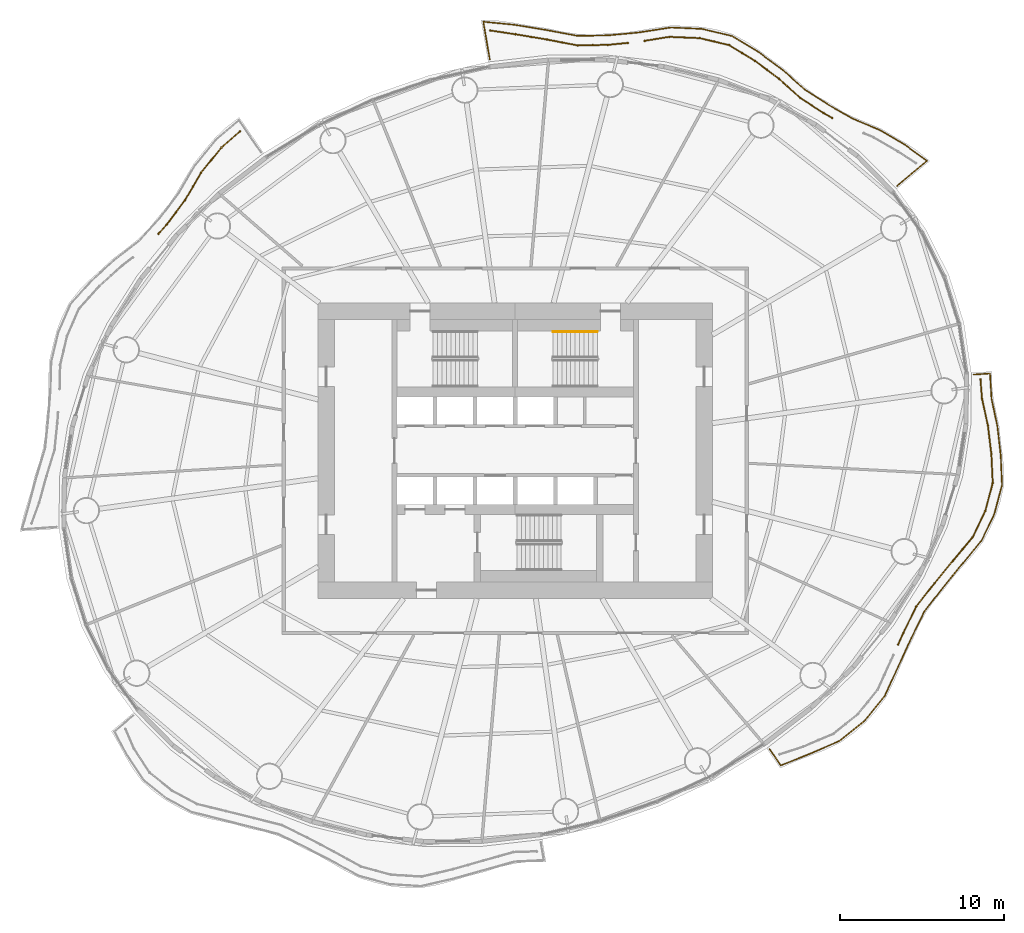
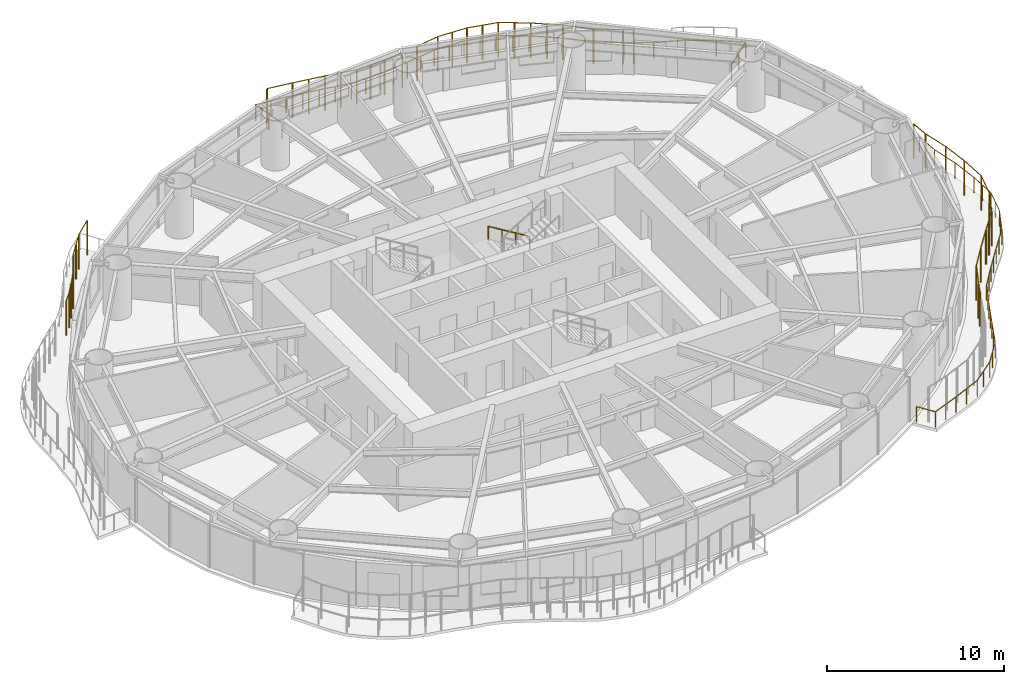
# One storey, part 14 of 15: 7 railings.
"""IFC4 building model written with IfcOpenShell, lengths in metres."""

from ifc_helpers import new_model, si_unit, direction, frame, origin, origin_2d, place, context, subcontext, project, spatial, circle, extrude, material, type_object, element, save


model = new_model("IFC4")

# Units and contexts
model_context = context("Model", 3, precision=1e-05, world=origin(), true_north=direction((0.0, 1.0)))
body_context = subcontext(model_context, "Body", "Model", "MODEL_VIEW")
ifc_project = project(units=[si_unit("LENGTHUNIT", "METRE"), si_unit("AREAUNIT", "SQUARE_METRE"), si_unit("VOLUMEUNIT", "CUBIC_METRE"), si_unit("PLANEANGLEUNIT", "RADIAN"), si_unit("MASSUNIT", "GRAM", prefix="KILO")], contexts=[model_context])

# Site, building, storey
site_placement = place(None, origin())
site = spatial("IfcSite", under=ifc_project, at=site_placement, CompositionType="ELEMENT")
building_placement = place(site_placement, origin())
building = spatial("IfcBuilding", under=site, at=building_placement, Name="Vermilion Reach Broadcast Tower", CompositionType="ELEMENT")
storey_placement = place(building_placement, frame((0.0, 0.0, 121.0)))
storey = spatial("IfcBuildingStorey", under=building, at=storey_placement, Name="L28", CompositionType="ELEMENT", Elevation=121.0)

# Railings
ifc_material_1 = material(Name="Terracotta baguette", Category="masonry")
railing_type_1 = type_object("IfcRailingType", Name="BAGUETTE SCREEN", PredefinedType="USERDEFINED", material=ifc_material_1)
railing_1_placement = place(storey_placement, frame((13.292236328125, 20.26708984375, 0.0)))
element("IfcRailing", 1, at=railing_1_placement, inside=storey, type_object=railing_type_1, Name="Baguette screen L28 group 1 part 2", ObjectType="BAGUETTE SCREEN", PredefinedType="USERDEFINED", context=body_context, shape_type="SweptSolid", body=[
    extrude(circle(Radius=0.030029296875, at=origin_2d()), frame((0.0, 0.0, 2.369873046875), z_axis=(-0.869886643613, 0.493251687543, 0.0), x_axis=(-0.493251687543, -0.869886643613, 0.0)), (0.0, 0.0, 1.0), 0.592529296875),
    extrude(circle(Radius=0.030029296875, at=origin_2d()), frame((-0.515380859375, 0.292236328125, 2.369873046875), z_axis=(-0.841202056522, 0.540720907773, 0.0), x_axis=(-0.540720907773, -0.841202056522, 0.0)), (0.0, 0.0, 1.0), 1.681884765625),
    extrude(circle(Radius=0.030029296875, at=origin_2d()), frame((-1.93017578125, 1.20166015625, 2.369873046875), z_axis=(-0.743349393525, 0.66890334066, 0.0), x_axis=(-0.66890334066, -0.743349393525, 0.0)), (0.0, 0.0, 1.0), 1.7578125),
    extrude(circle(Radius=0.030029296875, at=origin_2d()), frame((-3.23681640625, 2.37744140625, 2.369873046875), z_axis=(-0.800706422893, 0.599056945823, 0.0), x_axis=(-0.599056945823, -0.800706422893, 0.0)), (0.0, 0.0, 1.0), 1.8232421875),
    extrude(circle(Radius=0.030029296875, at=origin_2d()), frame((-4.69677734375, 3.4697265625, 2.369873046875), z_axis=(-0.853058057112, 0.521816012783, 0.0), x_axis=(-0.521816012783, -0.853058057112, 0.0)), (0.0, 0.0, 1.0), 1.83447265625),
    extrude(circle(Radius=0.030029296875, at=origin_2d()), frame((-6.26171875, 4.427001953125, 2.369873046875), z_axis=(-0.973370362516, 0.229238167363, 0.0), x_axis=(-0.229238167363, -0.973370362516, 0.0)), (0.0, 0.0, 1.0), 1.847900390625),
    extrude(circle(Radius=0.030029296875, at=origin_2d()), frame((-8.060302734375, 4.8505859375, 2.369873046875), z_axis=(-0.99905541285, 0.043454367502, 0.0), x_axis=(-0.043454367502, -0.99905541285, 0.0)), (0.0, 0.0, 1.0), 1.85400390625),
    extrude(circle(Radius=0.030029296875, at=origin_2d()), frame((-9.91259765625, 4.93115234375, 2.369873046875), z_axis=(-0.987130299465, -0.159918016114, 0.0), x_axis=(0.159918016114, -0.987130299465, 0.0)), (0.0, 0.0, 1.0), 1.511474609375),
    extrude(circle(Radius=0.050048828125, at=origin_2d()), origin(), (0.0, 0.0, 1.0), 2.33984375),
    extrude(circle(Radius=0.050048828125, at=origin_2d()), frame((-0.515380859375, 0.292236328125, 0.0)), (0.0, 0.0, 1.0), 2.33984375),
    extrude(circle(Radius=0.050048828125, at=origin_2d()), frame((-1.93017578125, 1.20166015625, 0.0)), (0.0, 0.0, 1.0), 2.33984375),
    extrude(circle(Radius=0.050048828125, at=origin_2d()), frame((-3.23681640625, 2.37744140625, 0.0)), (0.0, 0.0, 1.0), 2.33984375),
    extrude(circle(Radius=0.050048828125, at=origin_2d()), frame((-3.966796875, 2.923583984375, 0.0)), (0.0, 0.0, 1.0), 2.33984375),
    extrude(circle(Radius=0.050048828125, at=origin_2d()), frame((-4.69677734375, 3.4697265625, 0.0)), (0.0, 0.0, 1.0), 2.33984375),
    extrude(circle(Radius=0.050048828125, at=origin_2d()), frame((-5.479248046875, 3.9482421875, 0.0)), (0.0, 0.0, 1.0), 2.33984375),
    extrude(circle(Radius=0.050048828125, at=origin_2d()), frame((-6.26171875, 4.427001953125, 0.0)), (0.0, 0.0, 1.0), 2.33984375),
    extrude(circle(Radius=0.050048828125, at=origin_2d()), frame((-7.1611328125, 4.638671875, 0.0)), (0.0, 0.0, 1.0), 2.33984375),
    extrude(circle(Radius=0.050048828125, at=origin_2d()), frame((-8.060302734375, 4.8505859375, 0.0)), (0.0, 0.0, 1.0), 2.33984375),
    extrude(circle(Radius=0.050048828125, at=origin_2d()), frame((-8.986328125, 4.890869140625, 0.0)), (0.0, 0.0, 1.0), 2.33984375),
    extrude(circle(Radius=0.050048828125, at=origin_2d()), frame((-9.91259765625, 4.93115234375, 0.0)), (0.0, 0.0, 1.0), 2.33984375),
    extrude(circle(Radius=0.050048828125, at=origin_2d()), frame((-11.404541015625, 4.689453125, 0.0)), (0.0, 0.0, 1.0), 2.33984375),
])
railing_2_placement = place(storey_placement, frame((0.859619140625, 24.82958984375, 0.0)))
element("IfcRailing", 2, at=railing_2_placement, inside=storey, type_object=railing_type_1, Name="Baguette screen L28 group 1 part 3", ObjectType="BAGUETTE SCREEN", PredefinedType="USERDEFINED", context=body_context, shape_type="SweptSolid", body=[
    extrude(circle(Radius=0.030029296875, at=origin_2d()), frame((0.0, 0.0, 2.369873046875), z_axis=(-0.995277908547, -0.097066393554, 0.0), x_axis=(0.097066393554, -0.995277908547, 0.0)), (0.0, 0.0, 1.0), 1.22998046875),
    extrude(circle(Radius=0.030029296875, at=origin_2d()), frame((-1.22412109375, -0.119384765625, 2.369873046875), z_axis=(-0.999824777942, -0.018719332584, 0.0), x_axis=(0.018719332584, -0.999824777942, 0.0)), (0.0, 0.0, 1.0), 1.8388671875),
    extrude(circle(Radius=0.030029296875, at=origin_2d()), frame((-3.062744140625, -0.15380859375, 2.369873046875), z_axis=(-0.982109478579, 0.188310839002, 0.0), x_axis=(-0.188310839002, -0.982109478579, 0.0)), (0.0, 0.0, 1.0), 1.890380859375),
    extrude(circle(Radius=0.030029296875, at=origin_2d()), frame((-4.919189453125, 0.2021484375, 2.369873046875), z_axis=(-0.98620149676, 0.165549411926, 0.0), x_axis=(-0.165549411926, -0.98620149676, 0.0)), (0.0, 0.0, 1.0), 1.96142578125),
    extrude(circle(Radius=0.030029296875, at=origin_2d()), frame((-6.853515625, 0.52685546875, 2.369873046875), z_axis=(-0.988971256756, 0.148107573443, 0.0), x_axis=(-0.148107573443, -0.988971256756, 0.0)), (0.0, 0.0, 1.0), 1.537841796875),
    extrude(circle(Radius=0.050048828125, at=origin_2d()), origin(), (0.0, 0.0, 1.0), 2.33984375),
    extrude(circle(Radius=0.050048828125, at=origin_2d()), frame((-1.22412109375, -0.119384765625, 0.0)), (0.0, 0.0, 1.0), 2.33984375),
    extrude(circle(Radius=0.050048828125, at=origin_2d()), frame((-2.1435546875, -0.13671875, 0.0)), (0.0, 0.0, 1.0), 2.33984375),
    extrude(circle(Radius=0.050048828125, at=origin_2d()), frame((-3.062744140625, -0.15380859375, 0.0)), (0.0, 0.0, 1.0), 2.33984375),
    extrude(circle(Radius=0.050048828125, at=origin_2d()), frame((-3.990966796875, 0.024169921875, 0.0)), (0.0, 0.0, 1.0), 2.33984375),
    extrude(circle(Radius=0.050048828125, at=origin_2d()), frame((-4.919189453125, 0.2021484375, 0.0)), (0.0, 0.0, 1.0), 2.33984375),
    extrude(circle(Radius=0.050048828125, at=origin_2d()), frame((-5.88623046875, 0.364501953125, 0.0)), (0.0, 0.0, 1.0), 2.33984375),
    extrude(circle(Radius=0.050048828125, at=origin_2d()), frame((-6.853515625, 0.52685546875, 0.0)), (0.0, 0.0, 1.0), 2.33984375),
    extrude(circle(Radius=0.050048828125, at=origin_2d()), frame((-8.37451171875, 0.754638671875, 0.0)), (0.0, 0.0, 1.0), 2.33984375),
])
railing_3_placement = place(storey_placement, frame((-22.76171875, 19.445556640625, 0.0)))
element("IfcRailing", 3, at=railing_3_placement, inside=storey, type_object=railing_type_1, Name="Baguette screen L28 group 2 part 1", ObjectType="BAGUETTE SCREEN", PredefinedType="USERDEFINED", context=body_context, shape_type="SweptSolid", body=[
    extrude(circle(Radius=0.030029296875, at=origin_2d()), frame((0.0, 0.0, 2.369873046875), z_axis=(-0.750940906544, -0.660369407892, 0.0), x_axis=(0.660369407892, -0.750940906544, 0.0)), (0.0, 0.0, 1.0), 1.49072265625),
    extrude(circle(Radius=0.030029296875, at=origin_2d()), frame((-1.119384765625, -0.984375, 2.369873046875), z_axis=(-0.630897081938, -0.77586652976, 0.0), x_axis=(0.77586652976, -0.630897081938, 0.0)), (0.0, 0.0, 1.0), 1.9619140625),
    extrude(circle(Radius=0.030029296875, at=origin_2d()), frame((-2.357177734375, -2.506591796875, 2.369873046875), z_axis=(-0.503979825461, -0.863715425084, 0.0), x_axis=(0.863715425084, -0.503979825461, 0.0)), (0.0, 0.0, 1.0), 1.953125),
    extrude(circle(Radius=0.030029296875, at=origin_2d()), frame((-3.341552734375, -4.193603515625, 2.369873046875), z_axis=(-0.598423001868, -0.801180323545, 0.0), x_axis=(0.801180323545, -0.598423001868, 0.0)), (0.0, 0.0, 1.0), 1.859130859375),
    extrude(circle(Radius=0.030029296875, at=origin_2d()), frame((-4.4541015625, -5.68310546875, 2.369873046875), z_axis=(-0.673806134446, -0.738908176422, 0.0), x_axis=(0.738908176422, -0.673806134446, 0.0)), (0.0, 0.0, 1.0), 0.75),
    extrude(circle(Radius=0.050048828125, at=origin_2d()), origin(), (0.0, 0.0, 1.0), 2.33984375),
    extrude(circle(Radius=0.050048828125, at=origin_2d()), frame((-1.119384765625, -0.984375, 0.0)), (0.0, 0.0, 1.0), 2.33984375),
    extrude(circle(Radius=0.050048828125, at=origin_2d()), frame((-1.73828125, -1.74560546875, 0.0)), (0.0, 0.0, 1.0), 2.33984375),
    extrude(circle(Radius=0.050048828125, at=origin_2d()), frame((-2.357177734375, -2.506591796875, 0.0)), (0.0, 0.0, 1.0), 2.33984375),
    extrude(circle(Radius=0.050048828125, at=origin_2d()), frame((-2.849365234375, -3.35009765625, 0.0)), (0.0, 0.0, 1.0), 2.33984375),
    extrude(circle(Radius=0.050048828125, at=origin_2d()), frame((-3.341552734375, -4.193603515625, 0.0)), (0.0, 0.0, 1.0), 2.33984375),
    extrude(circle(Radius=0.050048828125, at=origin_2d()), frame((-3.89794921875, -4.9384765625, 0.0)), (0.0, 0.0, 1.0), 2.33984375),
    extrude(circle(Radius=0.050048828125, at=origin_2d()), frame((-4.4541015625, -5.68310546875, 0.0)), (0.0, 0.0, 1.0), 2.33984375),
    extrude(circle(Radius=0.050048828125, at=origin_2d()), frame((-4.95947265625, -6.2373046875, 0.0)), (0.0, 0.0, 1.0), 2.33984375),
])
railing_4_placement = place(storey_placement, frame((17.3134765625, -11.797119140625, 0.0)))
element("IfcRailing", 4, at=railing_4_placement, inside=storey, type_object=railing_type_1, Name="Baguette screen L28 group 4 part 2", ObjectType="BAGUETTE SCREEN", PredefinedType="USERDEFINED", context=body_context, shape_type="SweptSolid", body=[
    extrude(circle(Radius=0.030029296875, at=origin_2d()), frame((0.0, 0.0, 2.369873046875), z_axis=(0.413452907409, 0.910525503956, 0.0), x_axis=(-0.910525503956, 0.413452907409, 0.0)), (0.0, 0.0, 1.0), 0.788330078125),
    extrude(circle(Radius=0.030029296875, at=origin_2d()), frame((0.325927734375, 0.7177734375, 2.369873046875), z_axis=(0.437043358157, 0.899440438879, 0.0), x_axis=(-0.899440438879, 0.437043358157, 0.0)), (0.0, 0.0, 1.0), 1.781494140625),
    extrude(circle(Radius=0.030029296875, at=origin_2d()), frame((1.1044921875, 2.320068359375, 2.369873046875), z_axis=(0.618275230307, 0.785961665471, 0.0), x_axis=(-0.785961665471, 0.618275230307, 0.0)), (0.0, 0.0, 1.0), 1.781982421875),
    extrude(circle(Radius=0.030029296875, at=origin_2d()), frame((2.206298828125, 3.720703125, 2.369873046875), z_axis=(0.634762746695, 0.772707095482, 0.0), x_axis=(-0.772707095482, 0.634762746695, 0.0)), (0.0, 0.0, 1.0), 1.785888671875),
    extrude(circle(Radius=0.030029296875, at=origin_2d()), frame((3.33984375, 5.1005859375, 2.369873046875), z_axis=(0.642674442454, 0.766139387459, 0.0), x_axis=(-0.766139387459, 0.642674442454, 0.0)), (0.0, 0.0, 1.0), 1.858642578125),
    extrude(circle(Radius=0.030029296875, at=origin_2d()), frame((4.534423828125, 6.524658203125, 2.369873046875), z_axis=(0.433819763534, 0.900999674121, 0.0), x_axis=(-0.900999674121, 0.433819763534, 0.0)), (0.0, 0.0, 1.0), 1.77099609375),
    extrude(circle(Radius=0.030029296875, at=origin_2d()), frame((5.302734375, 8.120361328125, 2.369873046875), z_axis=(0.258125566, 0.966111376694, 0.0), x_axis=(-0.966111376694, 0.258125566, 0.0)), (0.0, 0.0, 1.0), 1.7724609375),
    extrude(circle(Radius=0.030029296875, at=origin_2d()), frame((5.76025390625, 9.832763671875, 2.369873046875), z_axis=(-0.048601606547, 0.998818243646, 0.0), x_axis=(-0.998818243646, -0.048601606547, 0.0)), (0.0, 0.0, 1.0), 1.768310546875),
    extrude(circle(Radius=0.030029296875, at=origin_2d()), frame((5.67431640625, 11.598876953125, 2.369873046875), z_axis=(-0.120272758934, 0.992740884349, 0.0), x_axis=(-0.992740884349, -0.120272758934, 0.0)), (0.0, 0.0, 1.0), 1.74169921875),
    extrude(circle(Radius=0.030029296875, at=origin_2d()), frame((5.46484375, 13.327880859375, 2.369873046875), z_axis=(-0.213489258509, 0.976945411219, 0.0), x_axis=(-0.976945411219, -0.213489258509, 0.0)), (0.0, 0.0, 1.0), 1.683349609375),
    extrude(circle(Radius=0.030029296875, at=origin_2d()), frame((5.10546875, 14.972412109375, 2.369873046875), z_axis=(-0.080855341557, 0.996725846831, 0.0), x_axis=(-0.996725846831, -0.080855341557, 0.0)), (0.0, 0.0, 1.0), 1.16259765625),
    extrude(circle(Radius=0.050048828125, at=origin_2d()), origin(), (0.0, 0.0, 1.0), 2.33984375),
    extrude(circle(Radius=0.050048828125, at=origin_2d()), frame((0.325927734375, 0.7177734375, 0.0)), (0.0, 0.0, 1.0), 2.33984375),
    extrude(circle(Radius=0.050048828125, at=origin_2d()), frame((1.1044921875, 2.320068359375, 0.0)), (0.0, 0.0, 1.0), 2.33984375),
    extrude(circle(Radius=0.050048828125, at=origin_2d()), frame((2.206298828125, 3.720703125, 0.0)), (0.0, 0.0, 1.0), 2.33984375),
    extrude(circle(Radius=0.050048828125, at=origin_2d()), frame((3.33984375, 5.1005859375, 0.0)), (0.0, 0.0, 1.0), 2.33984375),
    extrude(circle(Radius=0.050048828125, at=origin_2d()), frame((3.93701171875, 5.8125, 0.0)), (0.0, 0.0, 1.0), 2.33984375),
    extrude(circle(Radius=0.050048828125, at=origin_2d()), frame((4.534423828125, 6.524658203125, 0.0)), (0.0, 0.0, 1.0), 2.33984375),
    extrude(circle(Radius=0.050048828125, at=origin_2d()), frame((5.302734375, 8.120361328125, 0.0)), (0.0, 0.0, 1.0), 2.33984375),
    extrude(circle(Radius=0.050048828125, at=origin_2d()), frame((5.76025390625, 9.832763671875, 0.0)), (0.0, 0.0, 1.0), 2.33984375),
    extrude(circle(Radius=0.050048828125, at=origin_2d()), frame((5.67431640625, 11.598876953125, 0.0)), (0.0, 0.0, 1.0), 2.33984375),
    extrude(circle(Radius=0.050048828125, at=origin_2d()), frame((5.46484375, 13.327880859375, 0.0)), (0.0, 0.0, 1.0), 2.33984375),
    extrude(circle(Radius=0.050048828125, at=origin_2d()), frame((5.10546875, 14.972412109375, 0.0)), (0.0, 0.0, 1.0), 2.33984375),
    extrude(circle(Radius=0.050048828125, at=origin_2d()), frame((5.011474609375, 16.131103515625, 0.0)), (0.0, 0.0, 1.0), 2.33984375),
])
ifc_material_2 = material(Name="Stainless steel 316 balustrade", Category="steel")
railing_type_2 = type_object("IfcRailingType", Name="Balcony guard 1100", PredefinedType="BALUSTRADE", material=ifc_material_2)
railing_5_placement = place(storey_placement, frame((17.259033203125, 16.125244140625, 0.0)))
element("IfcRailing", 5, at=railing_5_placement, inside=storey, type_object=railing_type_2, Name="Balcony guard L28 group 1", PredefinedType="BALUSTRADE", context=body_context, shape_type="SweptSolid", body=[
    extrude(circle(Radius=0.02490234375, at=origin_2d()), frame((0.0, 0.0, 1.0751953125), z_axis=(0.764310583291, 0.644848301749, 0.0), x_axis=(-0.644848301749, 0.764310583291, 0.0)), (0.0, 0.0, 1.0), 2.362548828125),
    extrude(circle(Radius=0.02490234375, at=origin_2d()), frame((1.8056640625, 1.5234375, 1.0751953125), z_axis=(-0.808144542428, 0.588984209078, 0.0), x_axis=(-0.588984209078, -0.808144542428, 0.0)), (0.0, 0.0, 1.0), 1.660888671875),
    extrude(circle(Radius=0.02490234375, at=origin_2d()), frame((0.46337890625, 2.501708984375, 1.0751953125), z_axis=(-0.861161590175, 0.508331304964, 0.0), x_axis=(-0.508331304964, -0.861161590175, 0.0)), (0.0, 0.0, 1.0), 1.7568359375),
    extrude(circle(Radius=0.02490234375, at=origin_2d()), frame((-1.049560546875, 3.394775390625, 1.0751953125), z_axis=(-0.922663892883, 0.385605161752, 0.0), x_axis=(-0.385605161752, -0.922663892883, 0.0)), (0.0, 0.0, 1.0), 1.7861328125),
    extrude(circle(Radius=0.02490234375, at=origin_2d()), frame((-2.697509765625, 4.08349609375, 1.0751953125), z_axis=(-0.86878409638, 0.495191068051, 0.0), x_axis=(-0.495191068051, -0.86878409638, 0.0)), (0.0, 0.0, 1.0), 1.692626953125),
    extrude(circle(Radius=0.02490234375, at=origin_2d()), frame((-4.16796875, 4.921630859375, 1.0751953125), z_axis=(-0.841666135311, 0.539998256174, 0.0), x_axis=(-0.539998256174, -0.841666135311, 0.0)), (0.0, 0.0, 1.0), 1.722900390625),
    extrude(circle(Radius=0.02490234375, at=origin_2d()), frame((-5.6181640625, 5.85205078125, 1.0751953125), z_axis=(-0.747169207994, 0.664633865091, 0.0), x_axis=(-0.664633865091, -0.747169207994, 0.0)), (0.0, 0.0, 1.0), 1.79541015625),
    extrude(circle(Radius=0.02490234375, at=origin_2d()), frame((-6.959716796875, 7.04541015625, 1.0751953125), z_axis=(-0.803698893622, 0.595036207631, 0.0), x_axis=(-0.595036207631, -0.803698893622, 0.0)), (0.0, 0.0, 1.0), 1.861572265625),
    extrude(circle(Radius=0.02490234375, at=origin_2d()), frame((-8.455810546875, 8.153076171875, 1.0751953125), z_axis=(-0.855297713203, 0.518136875535, 0.0), x_axis=(-0.518136875535, -0.855297713203, 0.0)), (0.0, 0.0, 1.0), 1.87109375),
    extrude(circle(Radius=0.02490234375, at=origin_2d()), frame((-10.05615234375, 9.12255859375, 1.0751953125), z_axis=(-0.973178813103, 0.230049989627, 0.0), x_axis=(-0.230049989627, -0.973178813103, 0.0)), (0.0, 0.0, 1.0), 1.884765625),
    extrude(circle(Radius=0.02490234375, at=origin_2d()), frame((-11.890380859375, 9.55615234375, 1.0751953125), z_axis=(-0.998917014995, 0.046527380696, 0.0), x_axis=(-0.046527380696, -0.998917014995, 0.0)), (0.0, 0.0, 1.0), 1.888916015625),
    extrude(circle(Radius=0.02490234375, at=origin_2d()), frame((-13.77734375, 9.64404296875, 1.0751953125), z_axis=(-0.987994283368, -0.154490439939, 0.0), x_axis=(0.154490439939, -0.987994283368, 0.0)), (0.0, 0.0, 1.0), 1.967529296875),
    extrude(circle(Radius=0.02490234375, at=origin_2d()), frame((-15.72119140625, 9.340087890625, 1.0751953125), z_axis=(-0.995594861214, -0.093759651899, 0.0), x_axis=(0.093759651899, -0.995594861214, 0.0)), (0.0, 0.0, 1.0), 1.87744140625),
    extrude(circle(Radius=0.02490234375, at=origin_2d()), frame((-17.59033203125, 9.1640625, 1.0751953125), z_axis=(-0.999838180065, -0.017989265821, 0.0), x_axis=(0.017989265821, -0.999838180065, 0.0)), (0.0, 0.0, 1.0), 1.872802734375),
    extrude(circle(Radius=0.02490234375, at=origin_2d()), frame((-19.462890625, 9.13037109375, 1.0751953125), z_axis=(-0.982800219924, 0.18467194621, 0.0), x_axis=(-0.18467194621, -0.982800219924, 0.0)), (0.0, 0.0, 1.0), 1.922119140625),
    extrude(circle(Radius=0.02490234375, at=origin_2d()), frame((-21.35205078125, 9.4853515625, 1.0751953125), z_axis=(-0.986860025606, 0.161577504192, 0.0), x_axis=(-0.161577504192, -0.986860025606, 0.0)), (0.0, 0.0, 1.0), 1.992919921875),
    extrude(circle(Radius=0.02490234375, at=origin_2d()), frame((-23.31884765625, 9.807373046875, 1.0751953125), z_axis=(-0.995154187891, 0.098326712151, 0.0), x_axis=(-0.098326712151, -0.995154187891, 0.0)), (0.0, 0.0, 1.0), 1.8896484375),
    extrude(circle(Radius=0.02490234375, at=origin_2d()), frame((-25.19921875, 9.9931640625, 1.0751953125), z_axis=(0.168079726407, -0.98577340478, 0.0), x_axis=(0.98577340478, 0.168079726407, 0.0)), (0.0, 0.0, 1.0), 2.322509765625),
    extrude(circle(Radius=0.02490234375, at=origin_2d()), origin(), (0.0, 0.0, 1.0), 1.050048828125),
    extrude(circle(Radius=0.02490234375, at=origin_2d()), frame((0.90283203125, 0.76171875, 0.0)), (0.0, 0.0, 1.0), 1.050048828125),
    extrude(circle(Radius=0.02490234375, at=origin_2d()), frame((1.8056640625, 1.5234375, 0.0)), (0.0, 0.0, 1.0), 1.050048828125),
    extrude(circle(Radius=0.02490234375, at=origin_2d()), frame((0.46337890625, 2.501708984375, 0.0)), (0.0, 0.0, 1.0), 1.050048828125),
    extrude(circle(Radius=0.02490234375, at=origin_2d()), frame((-1.049560546875, 3.394775390625, 0.0)), (0.0, 0.0, 1.0), 1.050048828125),
    extrude(circle(Radius=0.02490234375, at=origin_2d()), frame((-2.697509765625, 4.08349609375, 0.0)), (0.0, 0.0, 1.0), 1.050048828125),
    extrude(circle(Radius=0.02490234375, at=origin_2d()), frame((-4.16796875, 4.921630859375, 0.0)), (0.0, 0.0, 1.0), 1.050048828125),
    extrude(circle(Radius=0.02490234375, at=origin_2d()), frame((-5.6181640625, 5.85205078125, 0.0)), (0.0, 0.0, 1.0), 1.050048828125),
    extrude(circle(Radius=0.02490234375, at=origin_2d()), frame((-6.959716796875, 7.04541015625, 0.0)), (0.0, 0.0, 1.0), 1.050048828125),
    extrude(circle(Radius=0.02490234375, at=origin_2d()), frame((-7.707763671875, 7.59912109375, 0.0)), (0.0, 0.0, 1.0), 1.050048828125),
    extrude(circle(Radius=0.02490234375, at=origin_2d()), frame((-8.455810546875, 8.153076171875, 0.0)), (0.0, 0.0, 1.0), 1.050048828125),
    extrude(circle(Radius=0.02490234375, at=origin_2d()), frame((-9.255859375, 8.6376953125, 0.0)), (0.0, 0.0, 1.0), 1.050048828125),
    extrude(circle(Radius=0.02490234375, at=origin_2d()), frame((-10.05615234375, 9.12255859375, 0.0)), (0.0, 0.0, 1.0), 1.050048828125),
    extrude(circle(Radius=0.02490234375, at=origin_2d()), frame((-10.97314453125, 9.33935546875, 0.0)), (0.0, 0.0, 1.0), 1.050048828125),
    extrude(circle(Radius=0.02490234375, at=origin_2d()), frame((-11.890380859375, 9.55615234375, 0.0)), (0.0, 0.0, 1.0), 1.050048828125),
    extrude(circle(Radius=0.02490234375, at=origin_2d()), frame((-12.833984375, 9.60009765625, 0.0)), (0.0, 0.0, 1.0), 1.050048828125),
    extrude(circle(Radius=0.02490234375, at=origin_2d()), frame((-13.77734375, 9.64404296875, 0.0)), (0.0, 0.0, 1.0), 1.050048828125),
    extrude(circle(Radius=0.02490234375, at=origin_2d()), frame((-14.749267578125, 9.4921875, 0.0)), (0.0, 0.0, 1.0), 1.050048828125),
    extrude(circle(Radius=0.02490234375, at=origin_2d()), frame((-15.72119140625, 9.340087890625, 0.0)), (0.0, 0.0, 1.0), 1.050048828125),
    extrude(circle(Radius=0.02490234375, at=origin_2d()), frame((-16.65576171875, 9.251953125, 0.0)), (0.0, 0.0, 1.0), 1.050048828125),
    extrude(circle(Radius=0.02490234375, at=origin_2d()), frame((-17.59033203125, 9.1640625, 0.0)), (0.0, 0.0, 1.0), 1.050048828125),
    extrude(circle(Radius=0.02490234375, at=origin_2d()), frame((-18.526611328125, 9.147216796875, 0.0)), (0.0, 0.0, 1.0), 1.050048828125),
    extrude(circle(Radius=0.02490234375, at=origin_2d()), frame((-19.462890625, 9.13037109375, 0.0)), (0.0, 0.0, 1.0), 1.050048828125),
    extrude(circle(Radius=0.02490234375, at=origin_2d()), frame((-20.407470703125, 9.307861328125, 0.0)), (0.0, 0.0, 1.0), 1.050048828125),
    extrude(circle(Radius=0.02490234375, at=origin_2d()), frame((-21.35205078125, 9.4853515625, 0.0)), (0.0, 0.0, 1.0), 1.050048828125),
    extrude(circle(Radius=0.02490234375, at=origin_2d()), frame((-22.33544921875, 9.646484375, 0.0)), (0.0, 0.0, 1.0), 1.050048828125),
    extrude(circle(Radius=0.02490234375, at=origin_2d()), frame((-23.31884765625, 9.807373046875, 0.0)), (0.0, 0.0, 1.0), 1.050048828125),
    extrude(circle(Radius=0.02490234375, at=origin_2d()), frame((-24.259033203125, 9.900390625, 0.0)), (0.0, 0.0, 1.0), 1.050048828125),
    extrude(circle(Radius=0.02490234375, at=origin_2d()), frame((-25.19921875, 9.9931640625, 0.0)), (0.0, 0.0, 1.0), 1.050048828125),
    extrude(circle(Radius=0.02490234375, at=origin_2d()), frame((-25.00390625, 8.848388671875, 0.0)), (0.0, 0.0, 1.0), 1.050048828125),
    extrude(circle(Radius=0.02490234375, at=origin_2d()), frame((-24.808837890625, 7.70361328125, 0.0)), (0.0, 0.0, 1.0), 1.050048828125),
])
railing_6_placement = place(storey_placement, frame((9.489013671875, -18.17431640625, 0.0)))
element("IfcRailing", 6, at=railing_6_placement, inside=storey, type_object=railing_type_2, Name="Balcony guard L28 group 4", PredefinedType="BALUSTRADE", context=body_context, shape_type="SweptSolid", body=[
    extrude(circle(Radius=0.02490234375, at=origin_2d()), frame((0.0, 0.0, 1.0751953125), z_axis=(0.566070554901, -0.824356795856, 0.0), x_axis=(0.824356795856, 0.566070554901, 0.0)), (0.0, 0.0, 1.0), 1.198486328125),
    extrude(circle(Radius=0.02490234375, at=origin_2d()), frame((0.678466796875, -0.988037109375, 1.0751953125), z_axis=(0.929001808086, 0.370075182326, 0.0), x_axis=(-0.370075182326, 0.929001808086, 0.0)), (0.0, 0.0, 1.0), 1.8564453125),
    extrude(circle(Radius=0.02490234375, at=origin_2d()), frame((2.403076171875, -0.301025390625, 1.0751953125), z_axis=(0.917024047272, 0.398831915379, 0.0), x_axis=(-0.398831915379, 0.917024047272, 0.0)), (0.0, 0.0, 1.0), 2.02490234375),
    extrude(circle(Radius=0.02490234375, at=origin_2d()), frame((4.260009765625, 0.506591796875, 1.0751953125), z_axis=(0.779629409478, 0.626241154729, 0.0), x_axis=(-0.626241154729, 0.779629409478, 0.0)), (0.0, 0.0, 1.0), 1.943359375),
    extrude(circle(Radius=0.02490234375, at=origin_2d()), frame((5.775146484375, 1.7236328125, 1.0751953125), z_axis=(0.631252137515, 0.775577680754, 0.0), x_axis=(-0.775577680754, 0.631252137515, 0.0)), (0.0, 0.0, 1.0), 1.950439453125),
    extrude(circle(Radius=0.02490234375, at=origin_2d()), frame((7.00634765625, 3.236328125, 1.0751953125), z_axis=(0.416731741498, 0.909029513068, 0.0), x_axis=(-0.909029513068, 0.416731741498, 0.0)), (0.0, 0.0, 1.0), 1.96435546875),
    extrude(circle(Radius=0.02490234375, at=origin_2d()), frame((7.824951171875, 5.02197265625, 1.0751953125), z_axis=(0.417183250538, 0.908822389397, 0.0), x_axis=(-0.908822389397, 0.417183250538, 0.0)), (0.0, 0.0, 1.0), 1.908447265625),
    extrude(circle(Radius=0.02490234375, at=origin_2d()), frame((8.62109375, 6.75634765625, 1.0751953125), z_axis=(0.439617460511, 0.898185108101, 0.0), x_axis=(-0.898185108101, 0.439617460511, 0.0)), (0.0, 0.0, 1.0), 1.816650390625),
    extrude(circle(Radius=0.02490234375, at=origin_2d()), frame((9.419677734375, 8.387939453125, 1.0751953125), z_axis=(0.616047664811, 0.787708876858, 0.0), x_axis=(-0.787708876858, 0.616047664811, 0.0)), (0.0, 0.0, 1.0), 1.819091796875),
    extrude(circle(Radius=0.02490234375, at=origin_2d()), frame((10.540283203125, 9.82080078125, 1.0751953125), z_axis=(0.631258277591, 0.77557268323, 0.0), x_axis=(-0.77557268323, 0.631258277591, 0.0)), (0.0, 0.0, 1.0), 1.822021484375),
    extrude(circle(Radius=0.02490234375, at=origin_2d()), frame((11.6904296875, 11.23388671875, 1.0751953125), z_axis=(0.638041855437, 0.770001682278, 0.0), x_axis=(-0.770001682278, 0.638041855437, 0.0)), (0.0, 0.0, 1.0), 1.896484375),
    extrude(circle(Radius=0.02490234375, at=origin_2d()), frame((12.900390625, 12.694091796875, 1.0751953125), z_axis=(0.431498452633, 0.902113676526, 0.0), x_axis=(-0.902113676526, 0.431498452633, 0.0)), (0.0, 0.0, 1.0), 1.81005859375),
    extrude(circle(Radius=0.02490234375, at=origin_2d()), frame((13.681396484375, 14.326904296875, 1.0751953125), z_axis=(0.25818206287, 0.966096280094, 0.0), x_axis=(-0.966096280094, 0.25818206287, 0.0)), (0.0, 0.0, 1.0), 1.813720703125),
    extrude(circle(Radius=0.02490234375, at=origin_2d()), frame((14.149658203125, 16.0791015625, 1.0751953125), z_axis=(-0.043068109754, 0.999072138498, 0.0), x_axis=(-0.999072138498, -0.043068109754, 0.0)), (0.0, 0.0, 1.0), 1.808349609375),
    extrude(circle(Radius=0.02490234375, at=origin_2d()), frame((14.07177734375, 17.8857421875, 1.0751953125), z_axis=(-0.114561766113, 0.993416127182, 0.0), x_axis=(-0.993416127182, -0.114561766113, 0.0)), (0.0, 0.0, 1.0), 1.78369140625),
    extrude(circle(Radius=0.02490234375, at=origin_2d()), frame((13.867431640625, 19.65771484375, 1.0751953125), z_axis=(-0.207180002547, 0.978302839894, 0.0), x_axis=(-0.978302839894, -0.207180002547, 0.0)), (0.0, 0.0, 1.0), 1.72509765625),
    extrude(circle(Radius=0.02490234375, at=origin_2d()), frame((13.510009765625, 21.345458984375, 1.0751953125), z_axis=(-0.060547839193, 0.998165296516, 0.0), x_axis=(-0.998165296516, -0.060547839193, 0.0)), (0.0, 0.0, 1.0), 1.536376953125),
    extrude(circle(Radius=0.02490234375, at=origin_2d()), frame((13.4169921875, 22.87890625, 1.0751953125), z_axis=(-0.997554319764, -0.069895487124, 0.0), x_axis=(0.069895487124, -0.997554319764, 0.0)), (0.0, 0.0, 1.0), 0.988525390625),
    extrude(circle(Radius=0.02490234375, at=origin_2d()), origin(), (0.0, 0.0, 1.0), 1.050048828125),
    extrude(circle(Radius=0.02490234375, at=origin_2d()), frame((0.678466796875, -0.988037109375, 0.0)), (0.0, 0.0, 1.0), 1.050048828125),
    extrude(circle(Radius=0.02490234375, at=origin_2d()), frame((1.540771484375, -0.64453125, 0.0)), (0.0, 0.0, 1.0), 1.050048828125),
    extrude(circle(Radius=0.02490234375, at=origin_2d()), frame((2.403076171875, -0.301025390625, 0.0)), (0.0, 0.0, 1.0), 1.050048828125),
    extrude(circle(Radius=0.02490234375, at=origin_2d()), frame((3.33154296875, 0.102783203125, 0.0)), (0.0, 0.0, 1.0), 1.050048828125),
    extrude(circle(Radius=0.02490234375, at=origin_2d()), frame((4.260009765625, 0.506591796875, 0.0)), (0.0, 0.0, 1.0), 1.050048828125),
    extrude(circle(Radius=0.02490234375, at=origin_2d()), frame((5.017578125, 1.115234375, 0.0)), (0.0, 0.0, 1.0), 1.050048828125),
    extrude(circle(Radius=0.02490234375, at=origin_2d()), frame((5.775146484375, 1.7236328125, 0.0)), (0.0, 0.0, 1.0), 1.050048828125),
    extrude(circle(Radius=0.02490234375, at=origin_2d()), frame((6.390625, 2.47998046875, 0.0)), (0.0, 0.0, 1.0), 1.050048828125),
    extrude(circle(Radius=0.02490234375, at=origin_2d()), frame((7.00634765625, 3.236328125, 0.0)), (0.0, 0.0, 1.0), 1.050048828125),
    extrude(circle(Radius=0.02490234375, at=origin_2d()), frame((7.41552734375, 4.129150390625, 0.0)), (0.0, 0.0, 1.0), 1.050048828125),
    extrude(circle(Radius=0.02490234375, at=origin_2d()), frame((7.824951171875, 5.02197265625, 0.0)), (0.0, 0.0, 1.0), 1.050048828125),
    extrude(circle(Radius=0.02490234375, at=origin_2d()), frame((8.22314453125, 5.88916015625, 0.0)), (0.0, 0.0, 1.0), 1.050048828125),
    extrude(circle(Radius=0.02490234375, at=origin_2d()), frame((8.62109375, 6.75634765625, 0.0)), (0.0, 0.0, 1.0), 1.050048828125),
    extrude(circle(Radius=0.02490234375, at=origin_2d()), frame((9.0205078125, 7.572265625, 0.0)), (0.0, 0.0, 1.0), 1.050048828125),
    extrude(circle(Radius=0.02490234375, at=origin_2d()), frame((9.419677734375, 8.387939453125, 0.0)), (0.0, 0.0, 1.0), 1.050048828125),
    extrude(circle(Radius=0.02490234375, at=origin_2d()), frame((9.97998046875, 9.1044921875, 0.0)), (0.0, 0.0, 1.0), 1.050048828125),
    extrude(circle(Radius=0.02490234375, at=origin_2d()), frame((10.540283203125, 9.82080078125, 0.0)), (0.0, 0.0, 1.0), 1.050048828125),
    extrude(circle(Radius=0.02490234375, at=origin_2d()), frame((11.115234375, 10.52734375, 0.0)), (0.0, 0.0, 1.0), 1.050048828125),
    extrude(circle(Radius=0.02490234375, at=origin_2d()), frame((11.6904296875, 11.23388671875, 0.0)), (0.0, 0.0, 1.0), 1.050048828125),
    extrude(circle(Radius=0.02490234375, at=origin_2d()), frame((12.29541015625, 11.9638671875, 0.0)), (0.0, 0.0, 1.0), 1.050048828125),
    extrude(circle(Radius=0.02490234375, at=origin_2d()), frame((12.900390625, 12.694091796875, 0.0)), (0.0, 0.0, 1.0), 1.050048828125),
    extrude(circle(Radius=0.02490234375, at=origin_2d()), frame((13.291015625, 13.510498046875, 0.0)), (0.0, 0.0, 1.0), 1.050048828125),
    extrude(circle(Radius=0.02490234375, at=origin_2d()), frame((13.681396484375, 14.326904296875, 0.0)), (0.0, 0.0, 1.0), 1.050048828125),
    extrude(circle(Radius=0.02490234375, at=origin_2d()), frame((13.91552734375, 15.203125, 0.0)), (0.0, 0.0, 1.0), 1.050048828125),
    extrude(circle(Radius=0.02490234375, at=origin_2d()), frame((14.149658203125, 16.0791015625, 0.0)), (0.0, 0.0, 1.0), 1.050048828125),
    extrude(circle(Radius=0.02490234375, at=origin_2d()), frame((14.11083984375, 16.982421875, 0.0)), (0.0, 0.0, 1.0), 1.050048828125),
    extrude(circle(Radius=0.02490234375, at=origin_2d()), frame((14.07177734375, 17.8857421875, 0.0)), (0.0, 0.0, 1.0), 1.050048828125),
    extrude(circle(Radius=0.02490234375, at=origin_2d()), frame((13.867431640625, 19.65771484375, 0.0)), (0.0, 0.0, 1.0), 1.050048828125),
    extrude(circle(Radius=0.02490234375, at=origin_2d()), frame((13.510009765625, 21.345458984375, 0.0)), (0.0, 0.0, 1.0), 1.050048828125),
    extrude(circle(Radius=0.02490234375, at=origin_2d()), frame((13.4169921875, 22.87890625, 0.0)), (0.0, 0.0, 1.0), 1.050048828125),
    extrude(circle(Radius=0.02490234375, at=origin_2d()), frame((12.430908203125, 22.809814453125, 0.0)), (0.0, 0.0, 1.0), 1.050048828125),
])
ifc_material_3 = material(Name="Stainless steel", Category="steel")
railing_type_3 = type_object("IfcRailingType", Name="Stair handrail", PredefinedType="HANDRAIL", material=ifc_material_3)
railing_7_placement = place(storey_placement, frame((-1.0, 7.25, 0.16357421875)))
element("IfcRailing", 7, at=railing_7_placement, inside=storey, type_object=railing_type_3, Name="L28 ST2 stair handrail 1", PredefinedType="HANDRAIL", context=body_context, shape_type="SweptSolid", body=[
    extrude(circle(Radius=0.02392578125, at=origin_2d()), frame((0.0, 0.0, 0.8759765625), z_axis=(-0.855178096276, 0.0, 0.518334277904), x_axis=(0.0, -1.0, 0.0)), (0.0, 0.0, 1.0), 3.1572265625),
    extrude(circle(Radius=0.02099609375, at=origin_2d()), origin(), (0.0, 0.0, 1.0), 0.851806640625),
    extrude(circle(Radius=0.02099609375, at=origin_2d()), frame((-0.89990234375, 0.0, 0.54541015625)), (0.0, 0.0, 1.0), 0.851806640625),
    extrude(circle(Radius=0.02099609375, at=origin_2d()), frame((-1.800048828125, 0.0, 1.091064453125)), (0.0, 0.0, 1.0), 0.851806640625),
    extrude(circle(Radius=0.02099609375, at=origin_2d()), frame((-2.699951171875, 0.0, 1.636474609375)), (0.0, 0.0, 1.0), 0.851806640625),
])

save(model, "model.ifc")
